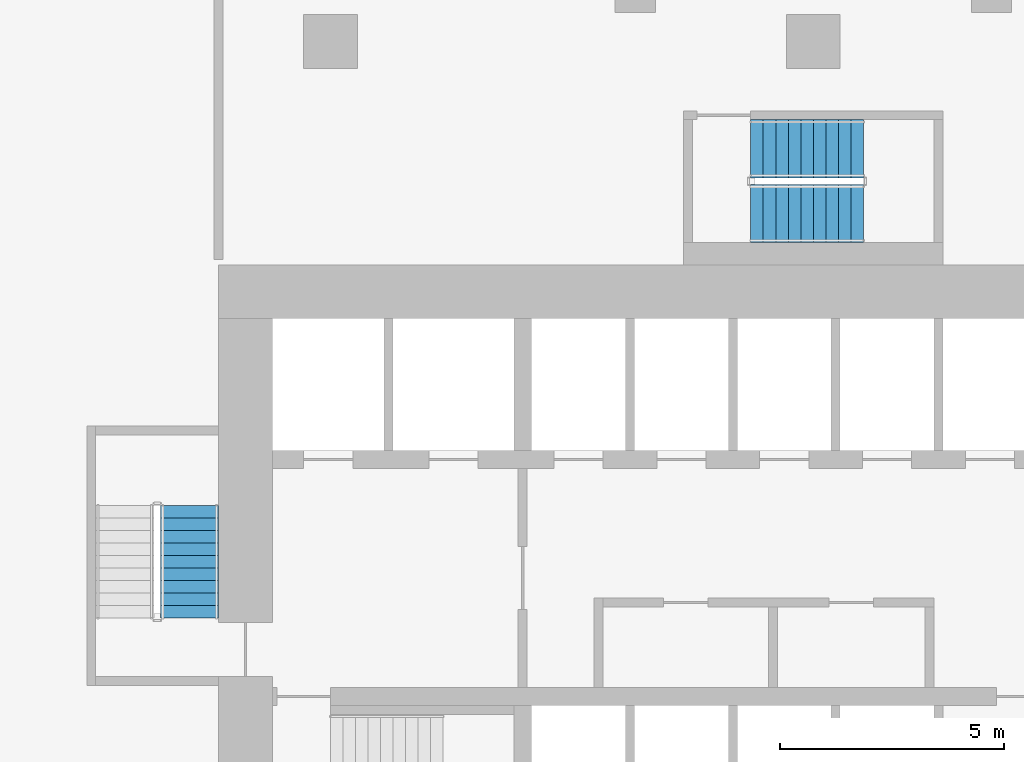
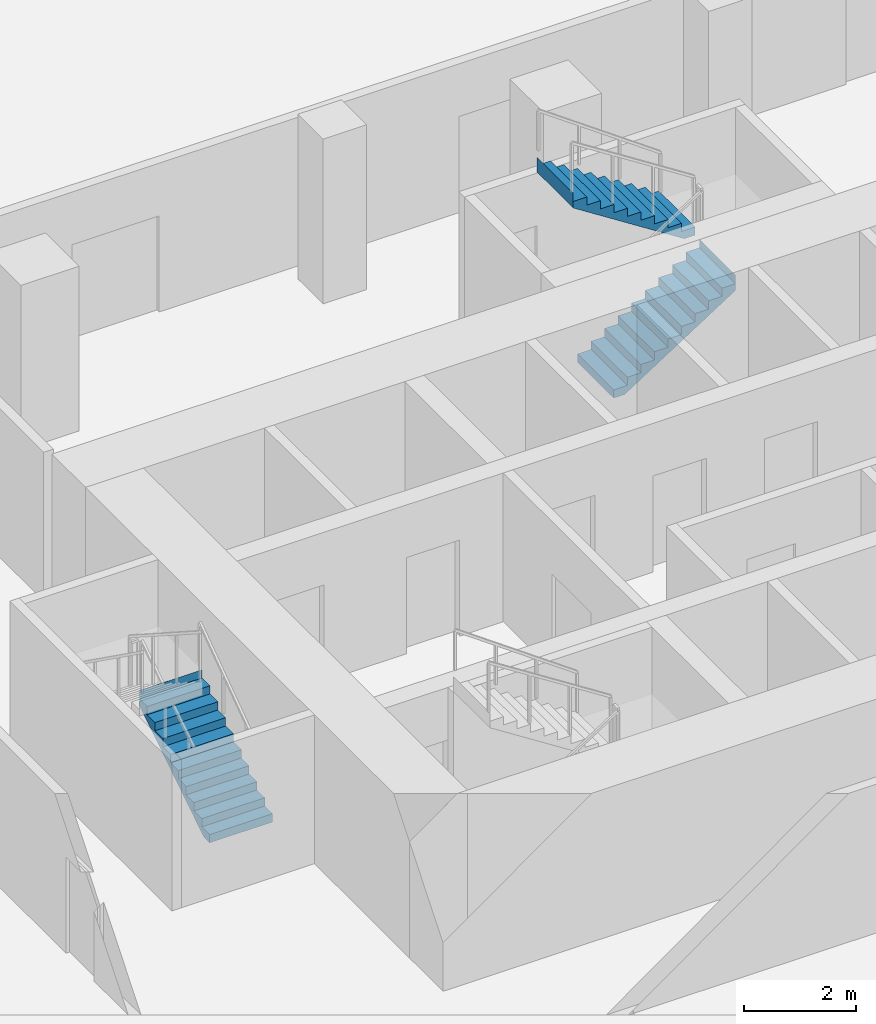
# One storey, part 31 of 38: 3 stair flights, 2 elements without a shape of their own.
"""IFC4 building model written with IfcOpenShell, lengths in metres."""

from ifc_helpers import new_model, si_unit, direction, frame, origin, place, context, subcontext, project, spatial, triangles, material, type_object, element, aggregate, save


model = new_model("IFC4")

# Units and contexts
model_context = context("Model", 3, precision=1e-05, world=origin(), true_north=direction((0.0, 1.0)))
body_context = subcontext(model_context, "Body", "Model", "MODEL_VIEW")
ifc_project = project(units=[si_unit("LENGTHUNIT", "METRE"), si_unit("AREAUNIT", "SQUARE_METRE"), si_unit("VOLUMEUNIT", "CUBIC_METRE"), si_unit("PLANEANGLEUNIT", "RADIAN"), si_unit("MASSUNIT", "GRAM", prefix="KILO")], contexts=[model_context])

# Site, building, storey
site_placement = place(None, origin())
site = spatial("IfcSite", under=ifc_project, at=site_placement, CompositionType="ELEMENT")
building_placement = place(site_placement, origin())
building = spatial("IfcBuilding", under=site, at=building_placement, Name="Beryl Residences", CompositionType="ELEMENT")
storey_placement = place(building_placement, frame((0.0, 0.0, 9.0)))
storey = spatial("IfcBuildingStorey", under=building, at=storey_placement, Name="L02", CompositionType="ELEMENT", Elevation=9.0)

# Stair, stair flight
ifc_material_1 = material(Name="Concrete C40/50", Category="concrete")
stair_type = type_object("IfcStairType", Name="ST1 protected exit stair, half-turn, 1300 mm flights", PredefinedType="HALF_TURN_STAIR", material=ifc_material_1)
stair_1_placement = place(storey_placement, origin())
stair_1 = element("IfcStair", 1, at=stair_1_placement, inside=storey, type_object=stair_type, Name="L02 PROTECTED EXIT STAIR ST-2", PredefinedType="HALF_TURN_STAIR")
ifc_material_2 = material(Name="Concrete C40/50", Category="concrete")
stair_flight_type = type_object("IfcStairFlightType", Name="SF1 stair flight 1300 mm", PredefinedType="STRAIGHT", material=ifc_material_2)
stair_flight_1_placement = place(storey_placement, frame((-13.949951171875, -12.89990234375, 0.0), z_axis=(0.0, 0.0, 1.0), x_axis=(0.0, 1.0, 0.0)))
stair_flight_1 = element("IfcStairFlight", 2, at=stair_flight_1_placement, type_object=stair_flight_type, Name="ST-2 flight 1", NumberOfRisers=10, NumberOfTreads=9, PredefinedType="STRAIGHT", RiserHeight=0.18, TreadLength=0.28, context=body_context, shape_type="Tessellation", body=[
    triangles([(0.0, -0.64990234375, 0.0), (0.0, -0.324951171875, 0.0), (0.0, 0.0, 0.0), (0.0, 0.324951171875, 0.0), (0.0, 0.64990234375, 0.0), (0.0, -0.64990234375, 0.179931640625), (0.0, -0.324951171875, 0.179931640625), (0.0, 0.0, 0.179931640625), (0.0, 0.324951171875, 0.179931640625), (0.0, 0.64990234375, 0.179931640625), (0.280029296875, -0.64990234375, 0.179931640625), (0.280029296875, -0.324951171875, 0.179931640625), (0.280029296875, 0.0, 0.179931640625), (0.280029296875, 0.324951171875, 0.179931640625), (0.280029296875, 0.64990234375, 0.179931640625), (0.280029296875, -0.64990234375, 0.360107421875), (0.280029296875, -0.324951171875, 0.360107421875), (0.280029296875, 0.0, 0.360107421875), (0.280029296875, 0.324951171875, 0.360107421875), (0.280029296875, 0.64990234375, 0.360107421875), (0.56005859375, -0.64990234375, 0.360107421875), (0.56005859375, -0.324951171875, 0.360107421875), (0.56005859375, 0.0, 0.360107421875), (0.56005859375, 0.324951171875, 0.360107421875), (0.56005859375, 0.64990234375, 0.360107421875), (0.56005859375, -0.64990234375, 0.5400390625), (0.56005859375, -0.324951171875, 0.5400390625), (0.56005859375, 0.0, 0.5400390625), (0.56005859375, 0.324951171875, 0.5400390625), (0.56005859375, 0.64990234375, 0.5400390625), (0.840087890625, -0.64990234375, 0.5400390625), (0.840087890625, -0.324951171875, 0.5400390625), (0.840087890625, 0.0, 0.5400390625), (0.840087890625, 0.324951171875, 0.5400390625), (0.840087890625, 0.64990234375, 0.5400390625), (0.840087890625, -0.64990234375, 0.719970703125), (0.840087890625, -0.324951171875, 0.719970703125), (0.840087890625, 0.0, 0.719970703125), (0.840087890625, 0.324951171875, 0.719970703125), (0.840087890625, 0.64990234375, 0.719970703125), (1.1201171875, -0.64990234375, 0.719970703125), (1.1201171875, -0.324951171875, 0.719970703125), (1.1201171875, 0.0, 0.719970703125), (1.1201171875, 0.324951171875, 0.719970703125), (1.1201171875, 0.64990234375, 0.719970703125), (1.1201171875, -0.64990234375, 0.89990234375), (1.1201171875, -0.324951171875, 0.89990234375), (1.1201171875, 0.0, 0.89990234375), (1.1201171875, 0.324951171875, 0.89990234375), (1.1201171875, 0.64990234375, 0.89990234375), (1.39990234375, -0.64990234375, 0.89990234375), (1.39990234375, -0.324951171875, 0.89990234375), (1.39990234375, 0.0, 0.89990234375), (1.39990234375, 0.324951171875, 0.89990234375), (1.39990234375, 0.64990234375, 0.89990234375), (1.39990234375, -0.64990234375, 1.080078125), (1.39990234375, -0.324951171875, 1.080078125), (1.39990234375, 0.0, 1.080078125), (1.39990234375, 0.324951171875, 1.080078125), (1.39990234375, 0.64990234375, 1.080078125), (1.679931640625, -0.64990234375, 1.080078125), (1.679931640625, -0.324951171875, 1.080078125), (1.679931640625, 0.0, 1.080078125), (1.679931640625, 0.324951171875, 1.080078125), (1.679931640625, 0.64990234375, 1.080078125), (1.679931640625, -0.64990234375, 1.260009765625), (1.679931640625, -0.324951171875, 1.260009765625), (1.679931640625, 0.0, 1.260009765625), (1.679931640625, 0.324951171875, 1.260009765625), (1.679931640625, 0.64990234375, 1.260009765625), (1.9599609375, -0.64990234375, 1.260009765625), (1.9599609375, -0.324951171875, 1.260009765625), (1.9599609375, 0.0, 1.260009765625), (1.9599609375, 0.324951171875, 1.260009765625), (1.9599609375, 0.64990234375, 1.260009765625), (1.9599609375, -0.64990234375, 1.43994140625), (1.9599609375, -0.324951171875, 1.43994140625), (1.9599609375, 0.0, 1.43994140625), (1.9599609375, 0.324951171875, 1.43994140625), (1.9599609375, 0.64990234375, 1.43994140625), (2.239990234375, -0.64990234375, 1.43994140625), (2.239990234375, -0.324951171875, 1.43994140625), (2.239990234375, 0.0, 1.43994140625), (2.239990234375, 0.324951171875, 1.43994140625), (2.239990234375, 0.64990234375, 1.43994140625), (2.239990234375, -0.64990234375, 1.6201171875), (2.239990234375, -0.324951171875, 1.6201171875), (2.239990234375, 0.0, 1.6201171875), (2.239990234375, 0.324951171875, 1.6201171875), (2.239990234375, 0.64990234375, 1.6201171875), (2.52001953125, -0.64990234375, 1.6201171875), (2.52001953125, -0.324951171875, 1.6201171875), (2.52001953125, 0.0, 1.6201171875), (2.52001953125, 0.324951171875, 1.6201171875), (2.52001953125, 0.64990234375, 1.6201171875), (2.52001953125, -0.64990234375, 1.800048828125), (2.52001953125, -0.324951171875, 1.800048828125), (2.52001953125, 0.0, 1.800048828125), (2.52001953125, 0.324951171875, 1.800048828125), (2.52001953125, 0.64990234375, 1.800048828125), (2.52099609375, -0.64990234375, 1.800048828125), (2.52099609375, -0.324951171875, 1.800048828125), (2.52099609375, 0.0, 1.800048828125), (2.52099609375, 0.324951171875, 1.800048828125), (2.52099609375, 0.64990234375, 1.800048828125), (2.52099609375, -0.64990234375, 1.477294921875), (2.52099609375, -0.324951171875, 1.477294921875), (2.52099609375, 0.0, 1.477294921875), (2.52099609375, 0.324951171875, 1.477294921875), (2.52099609375, 0.64990234375, 1.477294921875), (0.22314453125, -0.64990234375, 0.0), (0.22314453125, -0.324951171875, 0.0), (0.22314453125, 0.0, 0.0), (0.22314453125, 0.324951171875, 0.0), (0.22314453125, 0.64990234375, 0.0)], [[1, 6, 7], [1, 7, 2], [2, 7, 8], [2, 8, 3], [3, 8, 9], [3, 9, 4], [4, 9, 10], [4, 10, 5], [6, 11, 12], [6, 12, 7], [7, 12, 13], [7, 13, 8], [8, 13, 14], [8, 14, 9], [9, 14, 15], [9, 15, 10], [11, 16, 17], [11, 17, 12], [12, 17, 18], [12, 18, 13], [13, 18, 19], [13, 19, 14], [14, 19, 20], [14, 20, 15], [16, 21, 22], [16, 22, 17], [17, 22, 23], [17, 23, 18], [18, 23, 24], [18, 24, 19], [19, 24, 25], [19, 25, 20], [21, 26, 27], [21, 27, 22], [22, 27, 28], [22, 28, 23], [23, 28, 29], [23, 29, 24], [24, 29, 30], [24, 30, 25], [26, 31, 32], [26, 32, 27], [27, 32, 33], [27, 33, 28], [28, 33, 34], [28, 34, 29], [29, 34, 35], [29, 35, 30], [31, 36, 37], [31, 37, 32], [32, 37, 38], [32, 38, 33], [33, 38, 39], [33, 39, 34], [34, 39, 40], [34, 40, 35], [36, 41, 42], [36, 42, 37], [37, 42, 43], [37, 43, 38], [38, 43, 44], [38, 44, 39], [39, 44, 45], [39, 45, 40], [41, 46, 47], [41, 47, 42], [42, 47, 48], [42, 48, 43], [43, 48, 49], [43, 49, 44], [44, 49, 50], [44, 50, 45], [46, 51, 52], [46, 52, 47], [47, 52, 53], [47, 53, 48], [48, 53, 54], [48, 54, 49], [49, 54, 55], [49, 55, 50], [51, 56, 57], [51, 57, 52], [52, 57, 58], [52, 58, 53], [53, 58, 59], [53, 59, 54], [54, 59, 60], [54, 60, 55], [56, 61, 62], [56, 62, 57], [57, 62, 63], [57, 63, 58], [58, 63, 64], [58, 64, 59], [59, 64, 65], [59, 65, 60], [61, 66, 67], [61, 67, 62], [62, 67, 68], [62, 68, 63], [63, 68, 69], [63, 69, 64], [64, 69, 70], [64, 70, 65], [66, 71, 72], [66, 72, 67], [67, 72, 73], [67, 73, 68], [68, 73, 74], [68, 74, 69], [69, 74, 75], [69, 75, 70], [71, 76, 77], [71, 77, 72], [72, 77, 78], [72, 78, 73], [73, 78, 79], [73, 79, 74], [74, 79, 80], [74, 80, 75], [76, 81, 82], [76, 82, 77], [77, 82, 83], [77, 83, 78], [78, 83, 84], [78, 84, 79], [79, 84, 85], [79, 85, 80], [81, 86, 87], [81, 87, 82], [82, 87, 88], [82, 88, 83], [83, 88, 89], [83, 89, 84], [84, 89, 90], [84, 90, 85], [86, 91, 92], [86, 92, 87], [87, 92, 93], [87, 93, 88], [88, 93, 94], [88, 94, 89], [89, 94, 95], [89, 95, 90], [91, 96, 97], [91, 97, 92], [92, 97, 98], [92, 98, 93], [93, 98, 99], [93, 99, 94], [94, 99, 100], [94, 100, 95], [96, 101, 102], [96, 102, 97], [97, 102, 103], [97, 103, 98], [98, 103, 104], [98, 104, 99], [99, 104, 105], [99, 105, 100], [101, 106, 107], [101, 107, 102], [102, 107, 108], [102, 108, 103], [103, 108, 109], [103, 109, 104], [104, 109, 110], [104, 110, 105], [106, 111, 112], [106, 112, 107], [107, 112, 113], [107, 113, 108], [108, 113, 114], [108, 114, 109], [109, 114, 115], [109, 115, 110], [111, 1, 2], [111, 2, 112], [112, 2, 3], [112, 3, 113], [113, 3, 4], [113, 4, 114], [114, 4, 5], [114, 5, 115], [1, 111, 106], [5, 110, 115], [106, 101, 96], [110, 100, 105], [106, 96, 91], [110, 95, 100], [106, 91, 86], [110, 90, 95], [106, 86, 81], [110, 85, 90], [81, 76, 71], [85, 75, 80], [106, 81, 71], [110, 75, 85], [71, 66, 61], [75, 65, 70], [106, 71, 61], [110, 65, 75], [61, 56, 51], [65, 55, 60], [106, 61, 51], [110, 55, 65], [51, 46, 41], [55, 45, 50], [106, 51, 41], [110, 45, 55], [41, 36, 31], [45, 35, 40], [106, 41, 31], [110, 35, 45], [31, 26, 21], [35, 25, 30], [106, 31, 21], [110, 25, 35], [21, 16, 11], [25, 15, 20], [106, 21, 11], [110, 15, 25], [1, 106, 11], [5, 15, 110], [11, 6, 1], [15, 5, 10]], closed=True),
])
aggregate(stair_1, [stair_flight_1])

# Stair, stair flights
stair_2_placement = place(storey_placement, origin())
stair_2 = element("IfcStair", 3, at=stair_2_placement, inside=storey, type_object=stair_type, Name="L02 PROTECTED EXIT STAIR ST-4", PredefinedType="HALF_TURN_STAIR")
stair_flight_2_placement = place(storey_placement, frame((-1.39990234375, -3.85009765625, 0.0), z_axis=(0.0, 0.0, 1.0), x_axis=(1.0, 0.0, 0.0)))
stair_flight_2 = element("IfcStairFlight", 4, at=stair_flight_2_placement, type_object=stair_flight_type, Name="ST-4 flight 1", NumberOfRisers=10, NumberOfTreads=9, PredefinedType="STRAIGHT", RiserHeight=0.18, TreadLength=0.28, context=body_context, shape_type="Tessellation", body=[
    triangles([(0.0, -0.64990234375, 0.0), (0.0, -0.324951171875, 0.0), (0.0, 0.0, 0.0), (0.0, 0.324951171875, 0.0), (0.0, 0.64990234375, 0.0), (0.0, -0.64990234375, 0.179931640625), (0.0, -0.324951171875, 0.179931640625), (0.0, 0.0, 0.179931640625), (0.0, 0.324951171875, 0.179931640625), (0.0, 0.64990234375, 0.179931640625), (0.280029296875, -0.64990234375, 0.179931640625), (0.280029296875, -0.324951171875, 0.179931640625), (0.280029296875, 0.0, 0.179931640625), (0.280029296875, 0.324951171875, 0.179931640625), (0.280029296875, 0.64990234375, 0.179931640625), (0.280029296875, -0.64990234375, 0.360107421875), (0.280029296875, -0.324951171875, 0.360107421875), (0.280029296875, 0.0, 0.360107421875), (0.280029296875, 0.324951171875, 0.360107421875), (0.280029296875, 0.64990234375, 0.360107421875), (0.56005859375, -0.64990234375, 0.360107421875), (0.56005859375, -0.324951171875, 0.360107421875), (0.56005859375, 0.0, 0.360107421875), (0.56005859375, 0.324951171875, 0.360107421875), (0.56005859375, 0.64990234375, 0.360107421875), (0.56005859375, -0.64990234375, 0.5400390625), (0.56005859375, -0.324951171875, 0.5400390625), (0.56005859375, 0.0, 0.5400390625), (0.56005859375, 0.324951171875, 0.5400390625), (0.56005859375, 0.64990234375, 0.5400390625), (0.840087890625, -0.64990234375, 0.5400390625), (0.840087890625, -0.324951171875, 0.5400390625), (0.840087890625, 0.0, 0.5400390625), (0.840087890625, 0.324951171875, 0.5400390625), (0.840087890625, 0.64990234375, 0.5400390625), (0.840087890625, -0.64990234375, 0.719970703125), (0.840087890625, -0.324951171875, 0.719970703125), (0.840087890625, 0.0, 0.719970703125), (0.840087890625, 0.324951171875, 0.719970703125), (0.840087890625, 0.64990234375, 0.719970703125), (1.1201171875, -0.64990234375, 0.719970703125), (1.1201171875, -0.324951171875, 0.719970703125), (1.1201171875, 0.0, 0.719970703125), (1.1201171875, 0.324951171875, 0.719970703125), (1.1201171875, 0.64990234375, 0.719970703125), (1.1201171875, -0.64990234375, 0.89990234375), (1.1201171875, -0.324951171875, 0.89990234375), (1.1201171875, 0.0, 0.89990234375), (1.1201171875, 0.324951171875, 0.89990234375), (1.1201171875, 0.64990234375, 0.89990234375), (1.39990234375, -0.64990234375, 0.89990234375), (1.39990234375, -0.324951171875, 0.89990234375), (1.39990234375, 0.0, 0.89990234375), (1.39990234375, 0.324951171875, 0.89990234375), (1.39990234375, 0.64990234375, 0.89990234375), (1.39990234375, -0.64990234375, 1.080078125), (1.39990234375, -0.324951171875, 1.080078125), (1.39990234375, 0.0, 1.080078125), (1.39990234375, 0.324951171875, 1.080078125), (1.39990234375, 0.64990234375, 1.080078125), (1.679931640625, -0.64990234375, 1.080078125), (1.679931640625, -0.324951171875, 1.080078125), (1.679931640625, 0.0, 1.080078125), (1.679931640625, 0.324951171875, 1.080078125), (1.679931640625, 0.64990234375, 1.080078125), (1.679931640625, -0.64990234375, 1.260009765625), (1.679931640625, -0.324951171875, 1.260009765625), (1.679931640625, 0.0, 1.260009765625), (1.679931640625, 0.324951171875, 1.260009765625), (1.679931640625, 0.64990234375, 1.260009765625), (1.9599609375, -0.64990234375, 1.260009765625), (1.9599609375, -0.324951171875, 1.260009765625), (1.9599609375, 0.0, 1.260009765625), (1.9599609375, 0.324951171875, 1.260009765625), (1.9599609375, 0.64990234375, 1.260009765625), (1.9599609375, -0.64990234375, 1.43994140625), (1.9599609375, -0.324951171875, 1.43994140625), (1.9599609375, 0.0, 1.43994140625), (1.9599609375, 0.324951171875, 1.43994140625), (1.9599609375, 0.64990234375, 1.43994140625), (2.239990234375, -0.64990234375, 1.43994140625), (2.239990234375, -0.324951171875, 1.43994140625), (2.239990234375, 0.0, 1.43994140625), (2.239990234375, 0.324951171875, 1.43994140625), (2.239990234375, 0.64990234375, 1.43994140625), (2.239990234375, -0.64990234375, 1.6201171875), (2.239990234375, -0.324951171875, 1.6201171875), (2.239990234375, 0.0, 1.6201171875), (2.239990234375, 0.324951171875, 1.6201171875), (2.239990234375, 0.64990234375, 1.6201171875), (2.52001953125, -0.64990234375, 1.6201171875), (2.52001953125, -0.324951171875, 1.6201171875), (2.52001953125, 0.0, 1.6201171875), (2.52001953125, 0.324951171875, 1.6201171875), (2.52001953125, 0.64990234375, 1.6201171875), (2.52001953125, -0.64990234375, 1.800048828125), (2.52001953125, -0.324951171875, 1.800048828125), (2.52001953125, 0.0, 1.800048828125), (2.52001953125, 0.324951171875, 1.800048828125), (2.52001953125, 0.64990234375, 1.800048828125), (2.52099609375, -0.64990234375, 1.800048828125), (2.52099609375, -0.324951171875, 1.800048828125), (2.52099609375, 0.0, 1.800048828125), (2.52099609375, 0.324951171875, 1.800048828125), (2.52099609375, 0.64990234375, 1.800048828125), (2.52099609375, -0.64990234375, 1.477294921875), (2.52099609375, -0.324951171875, 1.477294921875), (2.52099609375, 0.0, 1.477294921875), (2.52099609375, 0.324951171875, 1.477294921875), (2.52099609375, 0.64990234375, 1.477294921875), (0.22314453125, -0.64990234375, 0.0), (0.22314453125, -0.324951171875, 0.0), (0.22314453125, 0.0, 0.0), (0.22314453125, 0.324951171875, 0.0), (0.22314453125, 0.64990234375, 0.0)], [[1, 6, 7], [1, 7, 2], [2, 7, 8], [2, 8, 3], [3, 8, 9], [3, 9, 4], [4, 9, 10], [4, 10, 5], [6, 11, 12], [6, 12, 7], [7, 12, 13], [7, 13, 8], [8, 13, 14], [8, 14, 9], [9, 14, 15], [9, 15, 10], [11, 16, 17], [11, 17, 12], [12, 17, 18], [12, 18, 13], [13, 18, 19], [13, 19, 14], [14, 19, 20], [14, 20, 15], [16, 21, 22], [16, 22, 17], [17, 22, 23], [17, 23, 18], [18, 23, 24], [18, 24, 19], [19, 24, 25], [19, 25, 20], [21, 26, 27], [21, 27, 22], [22, 27, 28], [22, 28, 23], [23, 28, 29], [23, 29, 24], [24, 29, 30], [24, 30, 25], [26, 31, 32], [26, 32, 27], [27, 32, 33], [27, 33, 28], [28, 33, 34], [28, 34, 29], [29, 34, 35], [29, 35, 30], [31, 36, 37], [31, 37, 32], [32, 37, 38], [32, 38, 33], [33, 38, 39], [33, 39, 34], [34, 39, 40], [34, 40, 35], [36, 41, 42], [36, 42, 37], [37, 42, 43], [37, 43, 38], [38, 43, 44], [38, 44, 39], [39, 44, 45], [39, 45, 40], [41, 46, 47], [41, 47, 42], [42, 47, 48], [42, 48, 43], [43, 48, 49], [43, 49, 44], [44, 49, 50], [44, 50, 45], [46, 51, 52], [46, 52, 47], [47, 52, 53], [47, 53, 48], [48, 53, 54], [48, 54, 49], [49, 54, 55], [49, 55, 50], [51, 56, 57], [51, 57, 52], [52, 57, 58], [52, 58, 53], [53, 58, 59], [53, 59, 54], [54, 59, 60], [54, 60, 55], [56, 61, 62], [56, 62, 57], [57, 62, 63], [57, 63, 58], [58, 63, 64], [58, 64, 59], [59, 64, 65], [59, 65, 60], [61, 66, 67], [61, 67, 62], [62, 67, 68], [62, 68, 63], [63, 68, 69], [63, 69, 64], [64, 69, 70], [64, 70, 65], [66, 71, 72], [66, 72, 67], [67, 72, 73], [67, 73, 68], [68, 73, 74], [68, 74, 69], [69, 74, 75], [69, 75, 70], [71, 76, 77], [71, 77, 72], [72, 77, 78], [72, 78, 73], [73, 78, 79], [73, 79, 74], [74, 79, 80], [74, 80, 75], [76, 81, 82], [76, 82, 77], [77, 82, 83], [77, 83, 78], [78, 83, 84], [78, 84, 79], [79, 84, 85], [79, 85, 80], [81, 86, 87], [81, 87, 82], [82, 87, 88], [82, 88, 83], [83, 88, 89], [83, 89, 84], [84, 89, 90], [84, 90, 85], [86, 91, 92], [86, 92, 87], [87, 92, 93], [87, 93, 88], [88, 93, 94], [88, 94, 89], [89, 94, 95], [89, 95, 90], [91, 96, 97], [91, 97, 92], [92, 97, 98], [92, 98, 93], [93, 98, 99], [93, 99, 94], [94, 99, 100], [94, 100, 95], [96, 101, 102], [96, 102, 97], [97, 102, 103], [97, 103, 98], [98, 103, 104], [98, 104, 99], [99, 104, 105], [99, 105, 100], [101, 106, 107], [101, 107, 102], [102, 107, 108], [102, 108, 103], [103, 108, 109], [103, 109, 104], [104, 109, 110], [104, 110, 105], [106, 111, 112], [106, 112, 107], [107, 112, 113], [107, 113, 108], [108, 113, 114], [108, 114, 109], [109, 114, 115], [109, 115, 110], [111, 1, 2], [111, 2, 112], [112, 2, 3], [112, 3, 113], [113, 3, 4], [113, 4, 114], [114, 4, 5], [114, 5, 115], [1, 111, 106], [5, 110, 115], [106, 101, 96], [110, 100, 105], [106, 96, 91], [110, 95, 100], [106, 91, 86], [110, 90, 95], [106, 86, 81], [110, 85, 90], [81, 76, 71], [85, 75, 80], [106, 81, 71], [110, 75, 85], [71, 66, 61], [75, 65, 70], [106, 71, 61], [110, 65, 75], [61, 56, 51], [65, 55, 60], [106, 61, 51], [110, 55, 65], [51, 46, 41], [55, 45, 50], [106, 51, 41], [110, 45, 55], [41, 36, 31], [45, 35, 40], [106, 41, 31], [110, 35, 45], [31, 26, 21], [35, 25, 30], [106, 31, 21], [110, 25, 35], [21, 16, 11], [25, 15, 20], [106, 21, 11], [110, 15, 25], [1, 106, 11], [5, 15, 110], [11, 6, 1], [15, 5, 10]], closed=True),
])
stair_flight_3_placement = place(storey_placement, frame((1.1201171875, -2.39990234375, 1.800048828125), z_axis=(0.0, 0.0, 1.0), x_axis=(-1.0, 0.0, 0.0)))
stair_flight_3 = element("IfcStairFlight", 5, at=stair_flight_3_placement, type_object=stair_flight_type, Name="ST-4 flight 2", NumberOfRisers=10, NumberOfTreads=9, PredefinedType="STRAIGHT", RiserHeight=0.18, TreadLength=0.28, context=body_context, shape_type="Tessellation", body=[
    triangles([(0.0, -0.64990234375, 0.0), (0.0, -0.324951171875, 0.0), (0.0, 0.0, 0.0), (0.0, 0.324951171875, 0.0), (0.0, 0.64990234375, 0.0), (0.0, -0.64990234375, 0.179931640625), (0.0, -0.324951171875, 0.179931640625), (0.0, 0.0, 0.179931640625), (0.0, 0.324951171875, 0.179931640625), (0.0, 0.64990234375, 0.179931640625), (0.280029296875, -0.64990234375, 0.179931640625), (0.280029296875, -0.324951171875, 0.179931640625), (0.280029296875, 0.0, 0.179931640625), (0.280029296875, 0.324951171875, 0.179931640625), (0.280029296875, 0.64990234375, 0.179931640625), (0.280029296875, -0.64990234375, 0.360107421875), (0.280029296875, -0.324951171875, 0.360107421875), (0.280029296875, 0.0, 0.360107421875), (0.280029296875, 0.324951171875, 0.360107421875), (0.280029296875, 0.64990234375, 0.360107421875), (0.56005859375, -0.64990234375, 0.360107421875), (0.56005859375, -0.324951171875, 0.360107421875), (0.56005859375, 0.0, 0.360107421875), (0.56005859375, 0.324951171875, 0.360107421875), (0.56005859375, 0.64990234375, 0.360107421875), (0.56005859375, -0.64990234375, 0.5400390625), (0.56005859375, -0.324951171875, 0.5400390625), (0.56005859375, 0.0, 0.5400390625), (0.56005859375, 0.324951171875, 0.5400390625), (0.56005859375, 0.64990234375, 0.5400390625), (0.840087890625, -0.64990234375, 0.5400390625), (0.840087890625, -0.324951171875, 0.5400390625), (0.840087890625, 0.0, 0.5400390625), (0.840087890625, 0.324951171875, 0.5400390625), (0.840087890625, 0.64990234375, 0.5400390625), (0.840087890625, -0.64990234375, 0.719970703125), (0.840087890625, -0.324951171875, 0.719970703125), (0.840087890625, 0.0, 0.719970703125), (0.840087890625, 0.324951171875, 0.719970703125), (0.840087890625, 0.64990234375, 0.719970703125), (1.1201171875, -0.64990234375, 0.719970703125), (1.1201171875, -0.324951171875, 0.719970703125), (1.1201171875, 0.0, 0.719970703125), (1.1201171875, 0.324951171875, 0.719970703125), (1.1201171875, 0.64990234375, 0.719970703125), (1.1201171875, -0.64990234375, 0.89990234375), (1.1201171875, -0.324951171875, 0.89990234375), (1.1201171875, 0.0, 0.89990234375), (1.1201171875, 0.324951171875, 0.89990234375), (1.1201171875, 0.64990234375, 0.89990234375), (1.39990234375, -0.64990234375, 0.89990234375), (1.39990234375, -0.324951171875, 0.89990234375), (1.39990234375, 0.0, 0.89990234375), (1.39990234375, 0.324951171875, 0.89990234375), (1.39990234375, 0.64990234375, 0.89990234375), (1.39990234375, -0.64990234375, 1.080078125), (1.39990234375, -0.324951171875, 1.080078125), (1.39990234375, 0.0, 1.080078125), (1.39990234375, 0.324951171875, 1.080078125), (1.39990234375, 0.64990234375, 1.080078125), (1.679931640625, -0.64990234375, 1.080078125), (1.679931640625, -0.324951171875, 1.080078125), (1.679931640625, 0.0, 1.080078125), (1.679931640625, 0.324951171875, 1.080078125), (1.679931640625, 0.64990234375, 1.080078125), (1.679931640625, -0.64990234375, 1.260009765625), (1.679931640625, -0.324951171875, 1.260009765625), (1.679931640625, 0.0, 1.260009765625), (1.679931640625, 0.324951171875, 1.260009765625), (1.679931640625, 0.64990234375, 1.260009765625), (1.9599609375, -0.64990234375, 1.260009765625), (1.9599609375, -0.324951171875, 1.260009765625), (1.9599609375, 0.0, 1.260009765625), (1.9599609375, 0.324951171875, 1.260009765625), (1.9599609375, 0.64990234375, 1.260009765625), (1.9599609375, -0.64990234375, 1.43994140625), (1.9599609375, -0.324951171875, 1.43994140625), (1.9599609375, 0.0, 1.43994140625), (1.9599609375, 0.324951171875, 1.43994140625), (1.9599609375, 0.64990234375, 1.43994140625), (2.239990234375, -0.64990234375, 1.43994140625), (2.239990234375, -0.324951171875, 1.43994140625), (2.239990234375, 0.0, 1.43994140625), (2.239990234375, 0.324951171875, 1.43994140625), (2.239990234375, 0.64990234375, 1.43994140625), (2.239990234375, -0.64990234375, 1.6201171875), (2.239990234375, -0.324951171875, 1.6201171875), (2.239990234375, 0.0, 1.6201171875), (2.239990234375, 0.324951171875, 1.6201171875), (2.239990234375, 0.64990234375, 1.6201171875), (2.52001953125, -0.64990234375, 1.6201171875), (2.52001953125, -0.324951171875, 1.6201171875), (2.52001953125, 0.0, 1.6201171875), (2.52001953125, 0.324951171875, 1.6201171875), (2.52001953125, 0.64990234375, 1.6201171875), (2.52001953125, -0.64990234375, 1.800048828125), (2.52001953125, -0.324951171875, 1.800048828125), (2.52001953125, 0.0, 1.800048828125), (2.52001953125, 0.324951171875, 1.800048828125), (2.52001953125, 0.64990234375, 1.800048828125), (2.52099609375, -0.64990234375, 1.800048828125), (2.52099609375, -0.324951171875, 1.800048828125), (2.52099609375, 0.0, 1.800048828125), (2.52099609375, 0.324951171875, 1.800048828125), (2.52099609375, 0.64990234375, 1.800048828125), (2.52099609375, -0.64990234375, 1.477294921875), (2.52099609375, -0.324951171875, 1.477294921875), (2.52099609375, 0.0, 1.477294921875), (2.52099609375, 0.324951171875, 1.477294921875), (2.52099609375, 0.64990234375, 1.477294921875), (0.22314453125, -0.64990234375, 0.0), (0.22314453125, -0.324951171875, 0.0), (0.22314453125, 0.0, 0.0), (0.22314453125, 0.324951171875, 0.0), (0.22314453125, 0.64990234375, 0.0)], [[1, 6, 7], [1, 7, 2], [2, 7, 8], [2, 8, 3], [3, 8, 9], [3, 9, 4], [4, 9, 10], [4, 10, 5], [6, 11, 12], [6, 12, 7], [7, 12, 13], [7, 13, 8], [8, 13, 14], [8, 14, 9], [9, 14, 15], [9, 15, 10], [11, 16, 17], [11, 17, 12], [12, 17, 18], [12, 18, 13], [13, 18, 19], [13, 19, 14], [14, 19, 20], [14, 20, 15], [16, 21, 22], [16, 22, 17], [17, 22, 23], [17, 23, 18], [18, 23, 24], [18, 24, 19], [19, 24, 25], [19, 25, 20], [21, 26, 27], [21, 27, 22], [22, 27, 28], [22, 28, 23], [23, 28, 29], [23, 29, 24], [24, 29, 30], [24, 30, 25], [26, 31, 32], [26, 32, 27], [27, 32, 33], [27, 33, 28], [28, 33, 34], [28, 34, 29], [29, 34, 35], [29, 35, 30], [31, 36, 37], [31, 37, 32], [32, 37, 38], [32, 38, 33], [33, 38, 39], [33, 39, 34], [34, 39, 40], [34, 40, 35], [36, 41, 42], [36, 42, 37], [37, 42, 43], [37, 43, 38], [38, 43, 44], [38, 44, 39], [39, 44, 45], [39, 45, 40], [41, 46, 47], [41, 47, 42], [42, 47, 48], [42, 48, 43], [43, 48, 49], [43, 49, 44], [44, 49, 50], [44, 50, 45], [46, 51, 52], [46, 52, 47], [47, 52, 53], [47, 53, 48], [48, 53, 54], [48, 54, 49], [49, 54, 55], [49, 55, 50], [51, 56, 57], [51, 57, 52], [52, 57, 58], [52, 58, 53], [53, 58, 59], [53, 59, 54], [54, 59, 60], [54, 60, 55], [56, 61, 62], [56, 62, 57], [57, 62, 63], [57, 63, 58], [58, 63, 64], [58, 64, 59], [59, 64, 65], [59, 65, 60], [61, 66, 67], [61, 67, 62], [62, 67, 68], [62, 68, 63], [63, 68, 69], [63, 69, 64], [64, 69, 70], [64, 70, 65], [66, 71, 72], [66, 72, 67], [67, 72, 73], [67, 73, 68], [68, 73, 74], [68, 74, 69], [69, 74, 75], [69, 75, 70], [71, 76, 77], [71, 77, 72], [72, 77, 78], [72, 78, 73], [73, 78, 79], [73, 79, 74], [74, 79, 80], [74, 80, 75], [76, 81, 82], [76, 82, 77], [77, 82, 83], [77, 83, 78], [78, 83, 84], [78, 84, 79], [79, 84, 85], [79, 85, 80], [81, 86, 87], [81, 87, 82], [82, 87, 88], [82, 88, 83], [83, 88, 89], [83, 89, 84], [84, 89, 90], [84, 90, 85], [86, 91, 92], [86, 92, 87], [87, 92, 93], [87, 93, 88], [88, 93, 94], [88, 94, 89], [89, 94, 95], [89, 95, 90], [91, 96, 97], [91, 97, 92], [92, 97, 98], [92, 98, 93], [93, 98, 99], [93, 99, 94], [94, 99, 100], [94, 100, 95], [96, 101, 102], [96, 102, 97], [97, 102, 103], [97, 103, 98], [98, 103, 104], [98, 104, 99], [99, 104, 105], [99, 105, 100], [101, 106, 107], [101, 107, 102], [102, 107, 108], [102, 108, 103], [103, 108, 109], [103, 109, 104], [104, 109, 110], [104, 110, 105], [106, 111, 112], [106, 112, 107], [107, 112, 113], [107, 113, 108], [108, 113, 114], [108, 114, 109], [109, 114, 115], [109, 115, 110], [111, 1, 2], [111, 2, 112], [112, 2, 3], [112, 3, 113], [113, 3, 4], [113, 4, 114], [114, 4, 5], [114, 5, 115], [1, 111, 106], [5, 110, 115], [106, 101, 96], [110, 100, 105], [106, 96, 91], [110, 95, 100], [106, 91, 86], [110, 90, 95], [106, 86, 81], [110, 85, 90], [81, 76, 71], [85, 75, 80], [106, 81, 71], [110, 75, 85], [71, 66, 61], [75, 65, 70], [106, 71, 61], [110, 65, 75], [61, 56, 51], [65, 55, 60], [106, 61, 51], [110, 55, 65], [51, 46, 41], [55, 45, 50], [106, 51, 41], [110, 45, 55], [41, 36, 31], [45, 35, 40], [106, 41, 31], [110, 35, 45], [31, 26, 21], [35, 25, 30], [106, 31, 21], [110, 25, 35], [21, 16, 11], [25, 15, 20], [106, 21, 11], [110, 15, 25], [1, 106, 11], [5, 15, 110], [11, 6, 1], [15, 5, 10]], closed=True),
])
aggregate(stair_2, [stair_flight_2, stair_flight_3])

save(model, "model.ifc")
